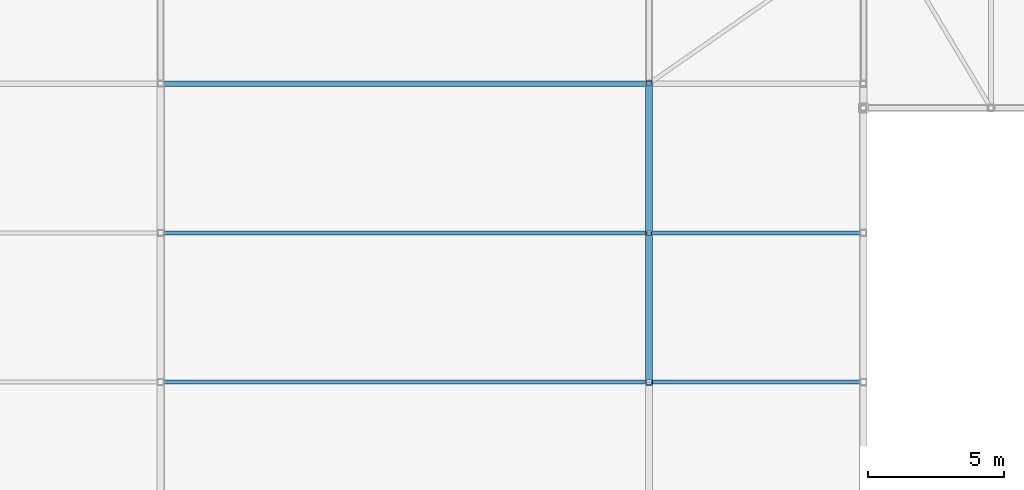
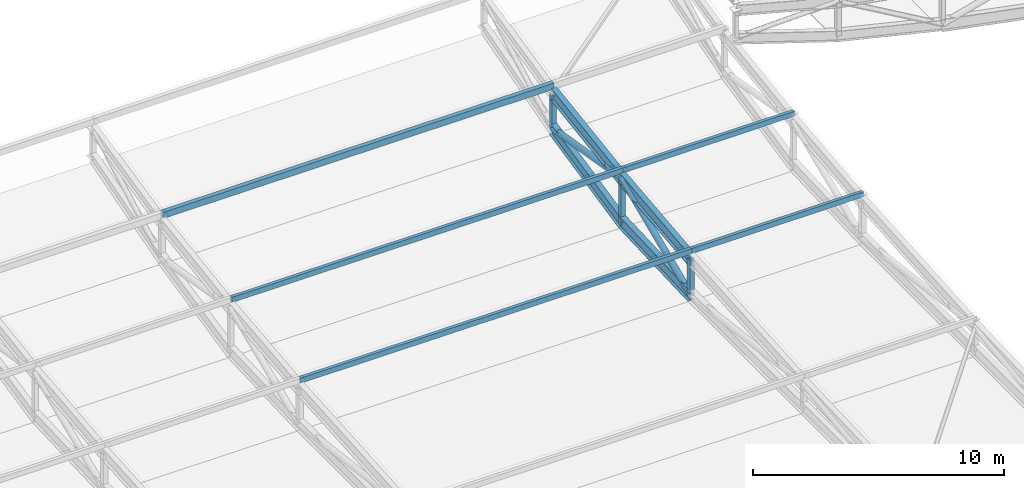
# One storey, part 43 of 114: 10 members, 4 beams.
"""IFC4 building model written with IfcOpenShell, lengths in metres."""

from ifc_helpers import new_model, si_unit, direction, frame, origin, origin_2d, place, context, subcontext, project, spatial, hollow_rectangle, hollow_circle, i_section, extrude, material, material_profile, profile_set, type_object, element, save


model = new_model("IFC4")

# Units and contexts
model_context = context("Model", 3, precision=1e-05, world=origin(), true_north=direction((0.0, 1.0)))
body_context = subcontext(model_context, "Body", "Model", "MODEL_VIEW")
ifc_project = project(units=[si_unit("LENGTHUNIT", "METRE"), si_unit("AREAUNIT", "SQUARE_METRE"), si_unit("VOLUMEUNIT", "CUBIC_METRE"), si_unit("PLANEANGLEUNIT", "RADIAN"), si_unit("MASSUNIT", "GRAM", prefix="KILO"), si_unit("THERMODYNAMICTEMPERATUREUNIT", "KELVIN"), si_unit("POWERUNIT", "WATT")], contexts=[model_context])

# Site, building, storey
site_placement = place(None, origin())
site = spatial("IfcSite", under=ifc_project, at=site_placement, CompositionType="ELEMENT")
building_placement = place(site_placement, origin())
building = spatial("IfcBuilding", under=site, at=building_placement, Name="Sindhuravela Promenade Stadium", CompositionType="ELEMENT")
storey_placement = place(building_placement, frame((0.0, 0.0, 24.0)))
storey = spatial("IfcBuildingStorey", under=building, at=storey_placement, Name="L05", CompositionType="ELEMENT", Elevation=24.0)

# Beams
ifc_material = material(Name="Steel E350 (IS 2062 E350BR)", Category="steel")
ifc_material_profile_1 = material_profile(ifc_material, i_section(OverallWidth=0.25, OverallDepth=0.60009765625, WebThickness=0.01171875, FlangeThickness=0.023681640625, FilletRadius=0.01708984375, at=origin_2d()), Name="ISWB 600")
ifc_profile_set_1 = profile_set([ifc_material_profile_1], Name="Steel E350 (IS 2062 E350BR)")
beam_type = type_object("IfcBeamType", Name="ST-BM-WB600", PredefinedType="USERDEFINED", material=ifc_profile_set_1)
beam_1_placement = place(storey_placement, frame((153.0, 27.0, 1.76318359375), z_axis=(0.0, 0.9943078180575428, 0.1065455909441987), x_axis=(-1.0, 0.0, 0.0)))
element("IfcBeam", 1, at=beam_1_placement, inside=storey, type_object=beam_type, Name="Roof truss RT-S08 top chord 3", ObjectType="ROOF TRUSS", PredefinedType="USERDEFINED", context=body_context, shape_type="SweptSolid", body=[
    extrude(i_section(OverallWidth=0.25, OverallDepth=0.60009765625, WebThickness=0.01171875, FlangeThickness=0.023681640625, FilletRadius=0.01708984375, at=origin_2d()), origin(), (0.0, 0.0, 1.0), 5.531494140625),
])
beam_2_placement = place(storey_placement, frame((153.0, 27.0, 0.0), z_axis=(0.0, 0.9991453279387894, 0.04133538022189949), x_axis=(-1.0, 0.0, 0.0)))
element("IfcBeam", 2, at=beam_2_placement, inside=storey, type_object=beam_type, Name="Roof truss RT-S08 bottom chord 3", ObjectType="ROOF TRUSS", PredefinedType="USERDEFINED", context=body_context, shape_type="SweptSolid", body=[
    extrude(i_section(OverallWidth=0.25, OverallDepth=0.60009765625, WebThickness=0.01171875, FlangeThickness=0.023681640625, FilletRadius=0.01708984375, at=origin_2d()), origin(), (0.0, 0.0, 1.0), 5.504638671875),
])
beam_3_placement = place(storey_placement, frame((153.0, 32.5, 2.3525390625), z_axis=(0.0, 0.9891555530237203, 0.14687168523012892), x_axis=(-1.0, 0.0, 0.0)))
element("IfcBeam", 3, at=beam_3_placement, inside=storey, type_object=beam_type, Name="Roof truss RT-S08 top chord 4", ObjectType="ROOF TRUSS", PredefinedType="USERDEFINED", context=body_context, shape_type="SweptSolid", body=[
    extrude(i_section(OverallWidth=0.25, OverallDepth=0.60009765625, WebThickness=0.01171875, FlangeThickness=0.023681640625, FilletRadius=0.01708984375, at=origin_2d()), origin(), (0.0, 0.0, 1.0), 5.560302734375),
])
beam_4_placement = place(storey_placement, frame((153.0, 32.5, 0.2275390625), z_axis=(0.0, 0.9773237385626684, 0.21175058451368894), x_axis=(-1.0, 0.0, 0.0)))
element("IfcBeam", 4, at=beam_4_placement, inside=storey, type_object=beam_type, Name="Roof truss RT-S08 bottom chord 4", ObjectType="ROOF TRUSS", PredefinedType="USERDEFINED", context=body_context, shape_type="SweptSolid", body=[
    extrude(i_section(OverallWidth=0.25, OverallDepth=0.60009765625, WebThickness=0.01171875, FlangeThickness=0.023681640625, FilletRadius=0.01708984375, at=origin_2d()), origin(), (0.0, 0.0, 1.0), 5.627685546875),
])

# Members
ifc_material_profile_2 = material_profile(ifc_material, hollow_circle(Radius=0.136474609375, WallThickness=0.010009765625, at=origin_2d()), Name="CHS 273.0x10")
ifc_profile_set_2 = profile_set([ifc_material_profile_2], Name="Steel E350 (IS 2062 E350BR)")
member_type_1 = type_object("IfcMemberType", Name="ST-MB-CHS273", PredefinedType="BRACE", material=ifc_profile_set_2)
member_1_placement = place(storey_placement, frame((153.0, 27.0, 0.0), z_axis=(0.0, 0.9194234507496676, 0.3932690150667524), x_axis=(-1.0, 0.0, 0.0)))
element("IfcMember", 5, at=member_1_placement, inside=storey, type_object=member_type_1, Name="Roof truss RT-S08 diagonal web 3", PredefinedType="BRACE", context=body_context, shape_type="SweptSolid", body=[
    extrude(hollow_circle(Radius=0.136474609375, WallThickness=0.010009765625, at=origin_2d()), origin(), (0.0, 0.0, 1.0), 5.98193359375),
])
member_2_placement = place(storey_placement, frame((153.0, 32.5, 2.3525390625), z_axis=(0.0, 0.9859046851385784, -0.1673079550463772), x_axis=(-1.0, 0.0, 0.0)))
element("IfcMember", 6, at=member_2_placement, inside=storey, type_object=member_type_1, Name="Roof truss RT-S08 diagonal web 4", PredefinedType="BRACE", context=body_context, shape_type="SweptSolid", body=[
    extrude(hollow_circle(Radius=0.136474609375, WallThickness=0.010009765625, at=origin_2d()), origin(), (0.0, 0.0, 1.0), 5.57861328125),
])
ifc_material_profile_3 = material_profile(ifc_material, hollow_rectangle(XDim=0.14990234375, YDim=0.25, WallThickness=0.010009765625, at=origin_2d()), Name="RHS 250x150x10")
ifc_profile_set_3 = profile_set([ifc_material_profile_3], Name="Steel E350 (IS 2062 E350BR)")
member_type_2 = type_object("IfcMemberType", Name="ST-MB-RHS250", PredefinedType="PURLIN", material=ifc_profile_set_3)
for number, where, z_axis, x_axis, name in (
    (7, (135.0, 27.0, 2.1552734375), (1.0, 0.0, 0.0), (0.0, 1.0, 0.0), "Roof purlin PR01 S bay 7.3"),
    (8, (135.0, 32.5, 2.744384765625), (1.0, 0.0, 0.0), (0.0, 1.0, 0.0), "Roof purlin PR01 S bay 7.4"),
):
    element("IfcMember", number, at=place(storey_placement, frame(where, z_axis=z_axis, x_axis=x_axis)), inside=storey, type_object=member_type_2, Name=name, PredefinedType="PURLIN", context=body_context, shape_type="SweptSolid", body=[
        extrude(hollow_rectangle(XDim=0.14990234375, YDim=0.25, WallThickness=0.010009765625, at=origin_2d()), origin(), (0.0, 0.0, 1.0), 18.0),
    ])
for number, where, z_axis, x_axis, name in (
    (9, (153.0, 27.0, 2.1552734375), (1.0, 0.0, 0.0), (0.0, 1.0, 0.0), "Roof purlin PR01 S bay 8.3"),
    (10, (153.0, 32.5, 2.744384765625), (1.0, 0.0, 0.0), (0.0, 1.0, 0.0), "Roof purlin PR01 S bay 8.4"),
):
    element("IfcMember", number, at=place(storey_placement, frame(where, z_axis=z_axis, x_axis=x_axis)), inside=storey, type_object=member_type_2, Name=name, PredefinedType="PURLIN", context=body_context, shape_type="SweptSolid", body=[
        extrude(hollow_rectangle(XDim=0.14990234375, YDim=0.25, WallThickness=0.010009765625, at=origin_2d()), origin(), (0.0, 0.0, 1.0), 7.89990234375),
    ])
ifc_material_profile_4 = material_profile(ifc_material, hollow_rectangle(XDim=0.199951171875, YDim=0.300048828125, WallThickness=0.010009765625, at=origin_2d()), Name="RHS 300x200x10")
ifc_profile_set_4 = profile_set([ifc_material_profile_4], Name="Steel E350 (IS 2062 E350BR)")
member_type_3 = type_object("IfcMemberType", Name="ST-MB-RHS300", PredefinedType="PURLIN", material=ifc_profile_set_4)
member_3_placement = place(storey_placement, frame((135.0, 38.0, 3.5361328125), z_axis=(1.0, 0.0, 0.0), x_axis=(0.0, 1.0, 0.0)))
element("IfcMember", 11, at=member_3_placement, inside=storey, type_object=member_type_3, Name="Roof purlin PR02 S bay 7.5", PredefinedType="PURLIN", context=body_context, shape_type="SweptSolid", body=[
    extrude(hollow_rectangle(XDim=0.199951171875, YDim=0.300048828125, WallThickness=0.010009765625, at=origin_2d()), origin(), (0.0, 0.0, 1.0), 18.0),
])
ifc_material_profile_5 = material_profile(ifc_material, hollow_rectangle(XDim=0.199951171875, YDim=0.199951171875, WallThickness=0.010009765625, at=origin_2d()), Name="SHS 200x200x10")
ifc_profile_set_5 = profile_set([ifc_material_profile_5], Name="Steel E350 (IS 2062 E350BR)")
member_type_4 = type_object("IfcMemberType", Name="ST-MB-SHS200", PredefinedType="POST", material=ifc_profile_set_5)
member_4_placement = place(storey_placement, frame((153.0, 32.5, 0.2275390625), z_axis=(0.0, 0.0, 1.0), x_axis=(1.0, 0.0, 0.0)))
element("IfcMember", 12, at=member_4_placement, inside=storey, type_object=member_type_4, Name="Roof truss RT-S08 vertical post 4", PredefinedType="POST", context=body_context, shape_type="SweptSolid", body=[
    extrude(hollow_rectangle(XDim=0.199951171875, YDim=0.199951171875, WallThickness=0.010009765625, at=origin_2d()), origin(), (0.0, 0.0, 1.0), 2.125),
])
member_5_placement = place(storey_placement, frame((153.0, 38.0, 1.419189453125), z_axis=(0.0, 0.0, 1.0), x_axis=(1.0, 0.0, 0.0)))
element("IfcMember", 13, at=member_5_placement, inside=storey, type_object=member_type_4, Name="Roof truss RT-S08 vertical post 5", PredefinedType="POST", context=body_context, shape_type="SweptSolid", body=[
    extrude(hollow_rectangle(XDim=0.199951171875, YDim=0.199951171875, WallThickness=0.010009765625, at=origin_2d()), origin(), (0.0, 0.0, 1.0), 1.75),
])
ifc_material_profile_6 = material_profile(ifc_material, hollow_rectangle(XDim=0.219970703125, YDim=0.219970703125, WallThickness=0.011962890625, at=origin_2d()), Name="SHS 220x220x12")
ifc_profile_set_6 = profile_set([ifc_material_profile_6], Name="Steel E350 (IS 2062 E350BR)")
member_type_5 = type_object("IfcMemberType", Name="ST-MB-SHS220", PredefinedType="POST", material=ifc_profile_set_6)
member_6_placement = place(storey_placement, frame((153.0, 27.0, 0.0), z_axis=(0.0, 0.0, 1.0), x_axis=(1.0, 0.0, 0.0)))
element("IfcMember", 14, at=member_6_placement, inside=storey, type_object=member_type_5, Name="Roof truss RT-S08 vertical post 3", PredefinedType="POST", context=body_context, shape_type="SweptSolid", body=[
    extrude(hollow_rectangle(XDim=0.219970703125, YDim=0.219970703125, WallThickness=0.011962890625, at=origin_2d()), origin(), (0.0, 0.0, 1.0), 1.76318359375),
])

save(model, "model.ifc")
